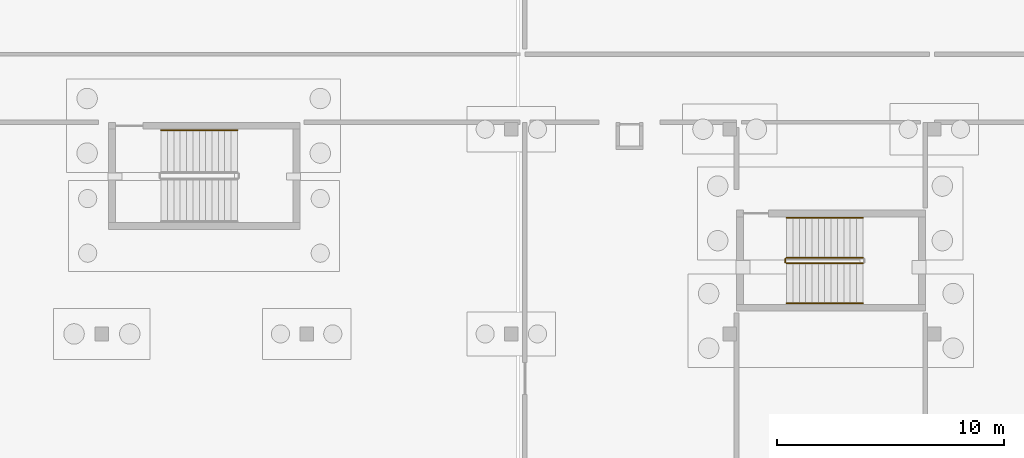
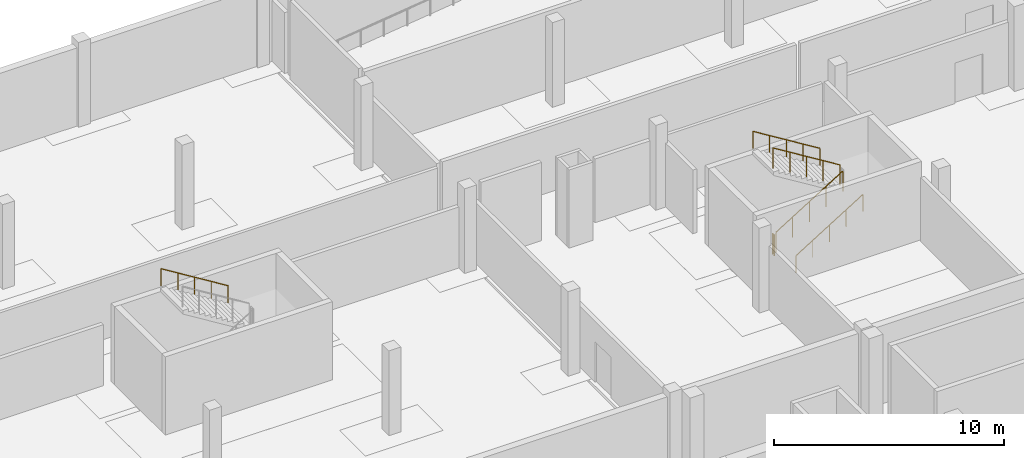
# One storey, part 32 of 36: 6 railings.
"""IFC4 building model written with IfcOpenShell, lengths in metres."""

import ifcopenshell
import ifcopenshell.guid

model = None  # the IFC model being written
_history = None  # IfcOwnerHistory: only IFC2X3 demands one
_inside = {}  # id of a spatial element -> (the spatial element, [elements in it])
_under = {}  # id of a project, library or spatial element -> (it, [spatial elements below it])
_declared = {}  # id of a project -> (the project, [libraries it declares])
_typed = {}  # id of a type object -> (the type object, [elements of that type])
_made_of = {}  # id of a material, layer set ... -> (it, [elements and type objects made of it])


def new_model(schema):
    """Start an empty IFC model of exactly this schema.

    Asked for "IFC4X3", IfcOpenShell would pick the latest addendum, in which some entities
    have other attributes; the version numbers below select the first issue.
    IFC2X3 requires an IfcOwnerHistory on every rooted entity: one is made here for all.
    """
    global model, _history
    if schema == "IFC4X3":
        model = ifcopenshell.file(schema_version=(4, 3, 0, 0))
    else:
        model = ifcopenshell.file(schema=schema)
    _inside.clear()
    _under.clear()
    _declared.clear()
    _typed.clear()
    _made_of.clear()
    _history = None
    if model.schema == "IFC2X3":
        org = make("IfcOrganization", Name="unknown")
        user = make(
            "IfcPersonAndOrganization",
            ThePerson=make("IfcPerson", FamilyName="unknown"),
            TheOrganization=org,
        )
        app = make(
            "IfcApplication",
            ApplicationDeveloper=org,
            Version="unknown",
            ApplicationFullName="unknown",
            ApplicationIdentifier="unknown",
        )
        _history = make(
            "IfcOwnerHistory",
            OwningUser=user,
            OwningApplication=app,
            ChangeAction="ADDED",
            CreationDate=0,
        )
    return model


def make(cls, **values):
    """One entity of the class cls with the attributes given. An attribute that is None is left unset."""
    return model.create_entity(
        cls, **{name: value for name, value in values.items() if value is not None}
    )


def rooted(cls, **values):
    """An entity with a GlobalId (a new one), such as an element, a storey or a relation."""
    return make(cls, GlobalId=ifcopenshell.guid.new(), OwnerHistory=_history, **values)


def si_unit(unit_type, name, prefix=None):
    """IfcSIUnit, for example si_unit("LENGTHUNIT", "METRE", prefix="MILLI")."""
    return make("IfcSIUnit", UnitType=unit_type, Prefix=prefix, Name=name)


def assignment(units):
    """IfcUnitAssignment: the units of a project."""
    return None if units is None else make("IfcUnitAssignment", Units=units)


def point(xyz):
    """IfcCartesianPoint."""
    return None if xyz is None else make("IfcCartesianPoint", Coordinates=xyz)


def direction(xyz):
    """IfcDirection."""
    return None if xyz is None else make("IfcDirection", DirectionRatios=xyz)


def frame(location, z_axis=None, x_axis=None):
    """IfcAxis2Placement3D, a coordinate frame: its origin and axes. An axis left out is left unset."""
    return make(
        "IfcAxis2Placement3D",
        Location=point(location),
        Axis=direction(z_axis),
        RefDirection=direction(x_axis),
    )


def frame_2d(location, x_axis=None):
    """IfcAxis2Placement2D, a coordinate frame in the plane: its origin and x axis."""
    return make(
        "IfcAxis2Placement2D", Location=point(location), RefDirection=direction(x_axis)
    )


def origin():
    """The frame at (0, 0, 0) with its axes left unset."""
    return frame((0.0, 0.0, 0.0))


def origin_2d():
    """The frame at (0, 0) in the plane with its x axis left unset."""
    return frame_2d((0.0, 0.0))


def place(relative_to, where):
    """IfcLocalPlacement: puts the frame where relative to a parent placement (None: the world)."""
    return make(
        "IfcLocalPlacement", PlacementRelTo=relative_to, RelativePlacement=where
    )


def context(
    kind, dimensions, precision=None, world=None, true_north=None, identifier=None
):
    """IfcGeometricRepresentationContext, for example the 3D "Model" context."""
    return make(
        "IfcGeometricRepresentationContext",
        ContextIdentifier=identifier,
        ContextType=kind,
        CoordinateSpaceDimension=dimensions,
        Precision=precision,
        WorldCoordinateSystem=world,
        TrueNorth=true_north,
    )


def subcontext(parent, identifier, kind, view, scale=None):
    """IfcGeometricRepresentationSubContext, for example "Body" below "Model"."""
    return make(
        "IfcGeometricRepresentationSubContext",
        ContextIdentifier=identifier,
        ContextType=kind,
        ParentContext=parent,
        TargetScale=scale,
        TargetView=view,
    )


def project(units=None, contexts=None):
    """IfcProject with its units and contexts."""
    return rooted(
        "IfcProject",
        Name="project",
        RepresentationContexts=contexts,
        UnitsInContext=assignment(units),
    )


def spatial(cls, under=None, at=None, **own):
    """A site, building, storey or space (cls), placed at a placement, below another one or the project."""
    s = rooted(cls, ObjectPlacement=at, **own)
    if under is not None:
        _under.setdefault(under.id(), (under, []))[1].append(s)
    return s


def profile(cls, at=None, kind="AREA", **sizes):
    """A parametric profile (cls). Its sizes go by their IFC names, for example OverallWidth=200.0."""
    return make(cls, ProfileType=kind, Position=at, **sizes)


def circle(**sizes):
    """IfcCircleProfileDef."""
    return profile("IfcCircleProfileDef", **sizes)


def extrude(swept, where, along, depth):
    """IfcExtrudedAreaSolid: the profile swept, set in the frame where, extruded along a direction by depth."""
    return make(
        "IfcExtrudedAreaSolid",
        SweptArea=swept,
        Position=where,
        ExtrudedDirection=direction(along),
        Depth=depth,
    )


def shape(context_of_items, identifier, shape_type, items):
    """IfcShapeRepresentation: the items that make up one representation, for example the "Body"."""
    return make(
        "IfcShapeRepresentation",
        ContextOfItems=context_of_items,
        RepresentationIdentifier=identifier,
        RepresentationType=shape_type,
        Items=items,
    )


def material(Name=None, Category=None):
    """IfcMaterial."""
    return make("IfcMaterial", Name=Name, Category=Category)


def layer(
    of_material, thickness, ventilated=None, Name=None, Category=None, Priority=None
):
    """IfcMaterialLayer: one layer of a wall or slab, of a material (None: an air gap)."""
    return make(
        "IfcMaterialLayer",
        Material=of_material,
        LayerThickness=thickness,
        IsVentilated=ventilated,
        Name=Name,
        Category=Category,
        Priority=Priority,
    )


def layer_set(layers, Name=None):
    """IfcMaterialLayerSet."""
    return make("IfcMaterialLayerSet", MaterialLayers=layers, LayerSetName=Name)


def made_of(thing, what):
    """Note that an element or type object is made of a material, layer set ...; save() writes the relation."""
    if what is not None:
        _made_of.setdefault(what.id(), (what, []))[1].append(thing)
    return thing


def type_object(cls, material=None, **own):
    """A type object (cls), such as IfcWallType, which elements share."""
    return made_of(rooted(cls, **own), material)


def element(
    cls,
    number,
    at=None,
    inside=None,
    cuts=None,
    type_object=None,
    material=None,
    context=None,
    identifier="Body",
    shape_type=None,
    held_by="IfcProductDefinitionShape",
    body=None,
    shapes=None,
    **own,
):
    """One element of the class cls, such as IfcWall. Its Tag is "e" and its number.

    at: its placement. inside: the storey or other place that contains it. cuts: it is an
    opening in that element (IfcRelVoidsElement). A single representation is given by context,
    identifier, shape_type and body (its items); several are given by shapes. held_by: the class
    of the entity that holds the representations. save() writes the other relations.
    """
    e = rooted(cls, Tag="e%d" % number, ObjectPlacement=at, **own)
    if body is not None:
        shapes = [shape(context, identifier, shape_type, body)]
    if shapes is not None:
        e.Representation = make(held_by, Representations=shapes)
    if inside is not None:
        _inside.setdefault(inside.id(), (inside, []))[1].append(e)
    if cuts is not None:
        rooted(
            "IfcRelVoidsElement", RelatingBuildingElement=cuts, RelatedOpeningElement=e
        )
    if type_object is not None:
        _typed.setdefault(type_object.id(), (type_object, []))[1].append(e)
    return made_of(e, material)


def aggregate(whole, parts):
    """IfcRelAggregates: a whole, such as a stair, and the parts it consists of."""
    return rooted("IfcRelAggregates", RelatingObject=whole, RelatedObjects=parts)


def save(model, path):
    """Write the relations noted so far, then the file.

    IfcRelAggregates (storeys below a building ...), IfcRelContainedInSpatialStructure (elements
    in a storey), IfcRelDefinesByType, IfcRelAssociatesMaterial and IfcRelDeclares: one each for
    every whole, place, type object, material and project.
    """
    for whole, parts in _under.values():
        aggregate(whole, parts)
    for where, things in _inside.values():
        rooted(
            "IfcRelContainedInSpatialStructure",
            RelatedElements=things,
            RelatingStructure=where,
        )
    for kind, things in _typed.values():
        rooted("IfcRelDefinesByType", RelatedObjects=things, RelatingType=kind)
    for what, things in _made_of.values():
        rooted("IfcRelAssociatesMaterial", RelatedObjects=things, RelatingMaterial=what)
    for by, libraries in _declared.values():
        rooted("IfcRelDeclares", RelatingContext=by, RelatedDefinitions=libraries)
    model.write(path)


model = new_model("IFC4")

# Units and contexts
model_context = context("Model", 3, precision=1e-05, world=origin(), true_north=direction((0.0, 1.0)))
body_context = subcontext(model_context, "Body", "Model", "MODEL_VIEW")
ifc_project = project(units=[si_unit("LENGTHUNIT", "METRE"), si_unit("AREAUNIT", "SQUARE_METRE"), si_unit("VOLUMEUNIT", "CUBIC_METRE"), si_unit("PLANEANGLEUNIT", "RADIAN"), si_unit("MASSUNIT", "GRAM", prefix="KILO")], contexts=[model_context])

# Site, building, storey
site_placement = place(None, origin())
site = spatial("IfcSite", under=ifc_project, at=site_placement, CompositionType="ELEMENT")
building_placement = place(site_placement, origin())
building = spatial("IfcBuilding", under=site, at=building_placement, Name="Chiffa Square Polytechnic", CompositionType="ELEMENT")
storey_placement = place(building_placement, frame((0.0, 0.0, -4.5)))
storey = spatial("IfcBuildingStorey", under=building, at=storey_placement, Name="B1", CompositionType="ELEMENT", Elevation=-4.5)

# Railings
ifc_material = material(Name="Steel S355", Category="steel")
ifc_layer_1 = layer(ifc_material, 0.050048828125, Name="Steel S355")
ifc_layer_set_1 = layer_set([ifc_layer_1], Name="Steel S355")
railing_type_1 = type_object("IfcRailingType", Name="RL-STAIR-GUARD", PredefinedType="GUARDRAIL", material=ifc_layer_set_1)
railing_1_placement = place(storey_placement, frame((123.699951171875, 106.89990234375, 0.173095703125)))
element("IfcRailing", 1, at=railing_1_placement, inside=storey, type_object=railing_type_1, Name="B1 ST-B1E stair guard 1", PredefinedType="GUARDRAIL", context=body_context, shape_type="SweptSolid", body=[
    extrude(circle(Radius=0.02392578125, at=origin_2d()), frame((0.0, 0.0, 1.076171875), z_axis=(0.850623216509, 0.0, 0.525775754039), x_axis=(0.0, 1.0, 0.0)), (0.0, 0.0, 1.0), 3.9501953125),
    extrude(circle(Radius=0.02099609375, at=origin_2d()), origin(), (0.0, 0.0, 1.0), 1.052001953125),
    extrude(circle(Radius=0.02099609375, at=origin_2d()), frame((0.840087890625, 0.0, 0.519287109375)), (0.0, 0.0, 1.0), 1.052001953125),
    extrude(circle(Radius=0.02099609375, at=origin_2d()), frame((1.68017578125, 0.0, 1.03857421875)), (0.0, 0.0, 1.0), 1.052001953125),
    extrude(circle(Radius=0.02099609375, at=origin_2d()), frame((2.52001953125, 0.0, 1.5576171875)), (0.0, 0.0, 1.0), 1.052001953125),
    extrude(circle(Radius=0.02099609375, at=origin_2d()), frame((3.360107421875, 0.0, 2.076904296875)), (0.0, 0.0, 1.0), 1.052001953125),
])
railing_2_placement = place(storey_placement, frame((127.06005859375, 107.14990234375, 2.423095703125)))
element("IfcRailing", 2, at=railing_2_placement, inside=storey, type_object=railing_type_1, Name="B1 ST-B1E stair guard 3", PredefinedType="GUARDRAIL", context=body_context, shape_type="SweptSolid", body=[
    extrude(circle(Radius=0.02392578125, at=origin_2d()), frame((0.0, 0.0, 1.076171875), z_axis=(-0.850623216509, 0.0, 0.525775754039), x_axis=(0.0, -1.0, 0.0)), (0.0, 0.0, 1.0), 3.9501953125),
    extrude(circle(Radius=0.02099609375, at=origin_2d()), origin(), (0.0, 0.0, 1.0), 1.052001953125),
    extrude(circle(Radius=0.02099609375, at=origin_2d()), frame((-0.840087890625, 0.0, 0.519287109375)), (0.0, 0.0, 1.0), 1.052001953125),
    extrude(circle(Radius=0.02099609375, at=origin_2d()), frame((-1.68017578125, 0.0, 1.03857421875)), (0.0, 0.0, 1.0), 1.052001953125),
    extrude(circle(Radius=0.02099609375, at=origin_2d()), frame((-2.52001953125, 0.0, 1.5576171875)), (0.0, 0.0, 1.0), 1.052001953125),
    extrude(circle(Radius=0.02099609375, at=origin_2d()), frame((-3.360107421875, 0.0, 2.076904296875)), (0.0, 0.0, 1.0), 1.052001953125),
])
railing_3_placement = place(storey_placement, frame((123.64990234375, 106.949951171875, 0.0)))
element("IfcRailing", 3, at=railing_3_placement, inside=storey, type_object=railing_type_1, Name="B1 ST-B1E stair guard 4", PredefinedType="GUARDRAIL", context=body_context, shape_type="SweptSolid", body=[
    extrude(circle(Radius=0.02392578125, at=origin_2d()), frame((0.0, 0.0, 1.076171875), z_axis=(0.0, 1.0, 0.0), x_axis=(-1.0, 0.0, 0.0)), (0.0, 0.0, 1.0), 0.150146484375),
    extrude(circle(Radius=0.02099609375, at=origin_2d()), origin(), (0.0, 0.0, 1.0), 1.052001953125),
    extrude(circle(Radius=0.02099609375, at=origin_2d()), frame((0.0, 0.150146484375, 0.0)), (0.0, 0.0, 1.0), 1.052001953125),
])
ifc_layer_2 = layer(ifc_material, 0.044921875, Name="Steel S355")
ifc_layer_set_2 = layer_set([ifc_layer_2], Name="Steel S355")
railing_type_2 = type_object("IfcRailingType", Name="RL-STAIR-HAND", PredefinedType="HANDRAIL", material=ifc_layer_set_2)
railing_4_placement = place(storey_placement, frame((99.56005859375, 112.75, 2.423095703125)))
element("IfcRailing", 4, at=railing_4_placement, inside=storey, type_object=railing_type_2, Name="B1 ST-V5B stair handrail 2", PredefinedType="HANDRAIL", context=body_context, shape_type="SweptSolid", body=[
    extrude(circle(Radius=0.02392578125, at=origin_2d()), frame((0.0, 0.0, 0.89599609375), z_axis=(-0.850623216509, 0.0, 0.525775754039), x_axis=(0.0, -1.0, 0.0)), (0.0, 0.0, 1.0), 3.9501953125),
    extrude(circle(Radius=0.02099609375, at=origin_2d()), origin(), (0.0, 0.0, 1.0), 0.871826171875),
    extrude(circle(Radius=0.02099609375, at=origin_2d()), frame((-0.840087890625, 0.0, 0.519287109375)), (0.0, 0.0, 1.0), 0.871826171875),
    extrude(circle(Radius=0.02099609375, at=origin_2d()), frame((-1.68017578125, 0.0, 1.03857421875)), (0.0, 0.0, 1.0), 0.871826171875),
    extrude(circle(Radius=0.02099609375, at=origin_2d()), frame((-2.52001953125, 0.0, 1.5576171875)), (0.0, 0.0, 1.0), 0.871826171875),
    extrude(circle(Radius=0.02099609375, at=origin_2d()), frame((-3.360107421875, 0.0, 2.076904296875)), (0.0, 0.0, 1.0), 0.871826171875),
])
railing_5_placement = place(storey_placement, frame((123.699951171875, 105.14990234375, 0.173095703125)))
element("IfcRailing", 5, at=railing_5_placement, inside=storey, type_object=railing_type_2, Name="B1 ST-B1E stair handrail 1", PredefinedType="HANDRAIL", context=body_context, shape_type="SweptSolid", body=[
    extrude(circle(Radius=0.02392578125, at=origin_2d()), frame((0.0, 0.0, 0.89599609375), z_axis=(0.850623216509, 0.0, 0.525775754039), x_axis=(0.0, 1.0, 0.0)), (0.0, 0.0, 1.0), 3.9501953125),
    extrude(circle(Radius=0.02099609375, at=origin_2d()), origin(), (0.0, 0.0, 1.0), 0.871826171875),
    extrude(circle(Radius=0.02099609375, at=origin_2d()), frame((0.840087890625, 0.0, 0.519287109375)), (0.0, 0.0, 1.0), 0.871826171875),
    extrude(circle(Radius=0.02099609375, at=origin_2d()), frame((1.68017578125, 0.0, 1.03857421875)), (0.0, 0.0, 1.0), 0.871826171875),
    extrude(circle(Radius=0.02099609375, at=origin_2d()), frame((2.52001953125, 0.0, 1.5576171875)), (0.0, 0.0, 1.0), 0.871826171875),
    extrude(circle(Radius=0.02099609375, at=origin_2d()), frame((3.360107421875, 0.0, 2.076904296875)), (0.0, 0.0, 1.0), 0.871826171875),
])
railing_6_placement = place(storey_placement, frame((127.06005859375, 108.89990234375, 2.423095703125)))
element("IfcRailing", 6, at=railing_6_placement, inside=storey, type_object=railing_type_2, Name="B1 ST-B1E stair handrail 2", PredefinedType="HANDRAIL", context=body_context, shape_type="SweptSolid", body=[
    extrude(circle(Radius=0.02392578125, at=origin_2d()), frame((0.0, 0.0, 0.89599609375), z_axis=(-0.850623216509, 0.0, 0.525775754039), x_axis=(0.0, -1.0, 0.0)), (0.0, 0.0, 1.0), 3.9501953125),
    extrude(circle(Radius=0.02099609375, at=origin_2d()), origin(), (0.0, 0.0, 1.0), 0.871826171875),
    extrude(circle(Radius=0.02099609375, at=origin_2d()), frame((-0.840087890625, 0.0, 0.519287109375)), (0.0, 0.0, 1.0), 0.871826171875),
    extrude(circle(Radius=0.02099609375, at=origin_2d()), frame((-1.68017578125, 0.0, 1.03857421875)), (0.0, 0.0, 1.0), 0.871826171875),
    extrude(circle(Radius=0.02099609375, at=origin_2d()), frame((-2.52001953125, 0.0, 1.5576171875)), (0.0, 0.0, 1.0), 0.871826171875),
    extrude(circle(Radius=0.02099609375, at=origin_2d()), frame((-3.360107421875, 0.0, 2.076904296875)), (0.0, 0.0, 1.0), 0.871826171875),
])

save(model, "model.ifc")
